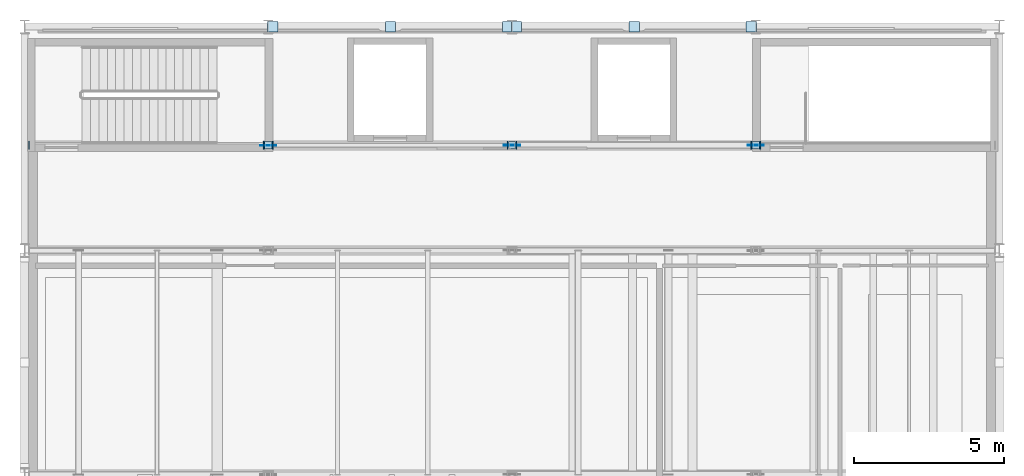
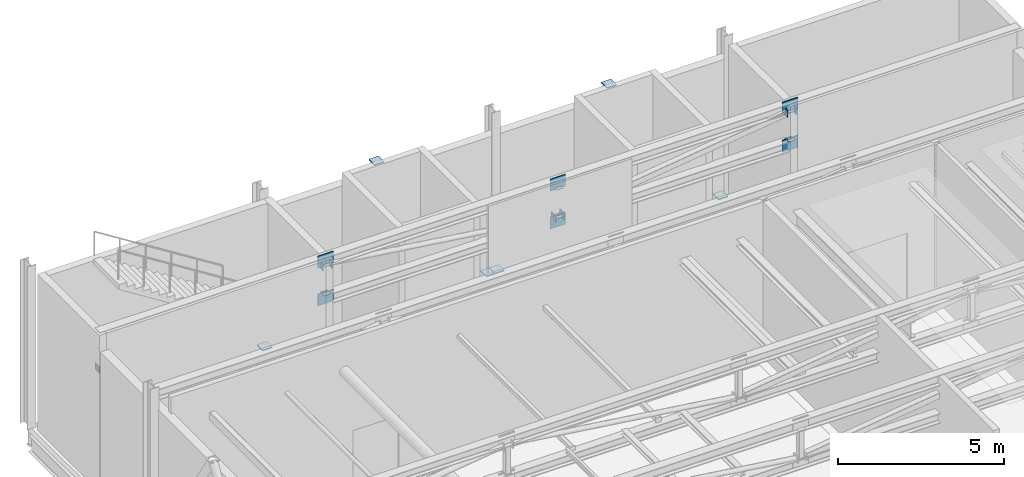
# One storey, part 17 of 21: 25 plates.
"""IFC4 building model written with IfcOpenShell, lengths in metres."""

from ifc_helpers import new_model, si_unit, direction, frame, origin, origin_2d, place, context, subcontext, project, spatial, rectangle, extrude, material, layer, layer_set, type_object, element, save


model = new_model("IFC4")

# Units and contexts
model_context = context("Model", 3, precision=1e-05, world=origin(), true_north=direction((0.0, 1.0)))
body_context = subcontext(model_context, "Body", "Model", "MODEL_VIEW")
ifc_project = project(units=[si_unit("LENGTHUNIT", "METRE"), si_unit("AREAUNIT", "SQUARE_METRE"), si_unit("VOLUMEUNIT", "CUBIC_METRE"), si_unit("PLANEANGLEUNIT", "RADIAN"), si_unit("MASSUNIT", "GRAM", prefix="KILO")], contexts=[model_context])

# Site, building, storey
site_placement = place(None, origin())
site = spatial("IfcSite", under=ifc_project, at=site_placement, CompositionType="ELEMENT")
building_placement = place(site_placement, origin())
building = spatial("IfcBuilding", under=site, at=building_placement, Name="Kaelora Sail Theatre", CompositionType="ELEMENT")
storey_placement = place(building_placement, frame((0.0, 0.0, 27.60009765625)))
storey = spatial("IfcBuildingStorey", under=building, at=storey_placement, Name="L06", CompositionType="ELEMENT", Elevation=27.60009765625)

# Plates
ifc_material_1 = material(Name="Steel S355", Category="steel")
ifc_layer_1 = layer(ifc_material_1, 0.014892578125)
ifc_layer_set_1 = layer_set([ifc_layer_1], Name="Steel S355")
plate_type_1 = type_object("IfcPlateType", Name="STR-PL-EP-15", PredefinedType="SHEET", material=ifc_layer_set_1)
for number, where, z_axis, x_axis, name in (
    (1, (33.89990234375, 79.39990234375, 4.41552734375), (0.0, 0.0, 1.0), (1.0, 0.0, 0.0), "TVT-01 Fly Tower truss 4 vertical strut 1 end cap plate A"),
    (2, (33.89990234375, 79.39990234375, 5.46923828125), (0.0, 0.0, 1.0), (1.0, 0.0, 0.0), "TVT-01 Fly Tower truss 4 vertical strut 1 end cap plate B"),
    (3, (42.0, 79.39990234375, 4.41552734375), (0.0, 0.0, 1.0), (1.0, 0.0, 0.0), "TVT-01 Fly Tower truss 4 vertical strut 2 end cap plate A"),
    (4, (42.0, 79.39990234375, 5.46923828125), (0.0, 0.0, 1.0), (1.0, 0.0, 0.0), "TVT-01 Fly Tower truss 4 vertical strut 2 end cap plate B"),
    (5, (50.10009765625, 79.39990234375, 4.41552734375), (0.0, 0.0, 1.0), (1.0, 0.0, 0.0), "TVT-01 Fly Tower truss 4 vertical strut 3 end cap plate A"),
    (6, (50.10009765625, 79.39990234375, 5.46923828125), (0.0, 0.0, 1.0), (1.0, 0.0, 0.0), "TVT-01 Fly Tower truss 4 vertical strut 3 end cap plate B"),
):
    element("IfcPlate", number, at=place(storey_placement, frame(where, z_axis=z_axis, x_axis=x_axis)), inside=storey, type_object=plate_type_1, Name=name, PredefinedType="SHEET", context=body_context, shape_type="SweptSolid", body=[
        extrude(rectangle(XDim=0.239990234375, YDim=0.239990234375, at=origin_2d()), origin(), (0.0, 0.0, 1.0), 0.014892578125),
    ])
ifc_material_2 = material(Name="Steel S355", Category="steel")
ifc_layer_2 = layer(ifc_material_2, 0.02001953125)
ifc_layer_set_2 = layer_set([ifc_layer_2], Name="Steel S355")
plate_type_2 = type_object("IfcPlateType", Name="STR-PL-EP-20", PredefinedType="SHEET", material=ifc_layer_set_2)
for number, where, z_axis, x_axis, name in (
    (7, (25.951171875, 79.39990234375, 4.298828125), (0.0, 0.0, 1.0), (1.0, 0.0, 0.0), "TDG-01 Fly Tower truss 4 web diagonal 1 end cap plate A"),
    (8, (33.7490234375, 79.39990234375, 5.34130859375), (0.0, 0.0, 1.0), (1.0, 0.0, 0.0), "TDG-01 Fly Tower truss 4 web diagonal 1 end cap plate B"),
    (9, (34.051025390625, 79.39990234375, 5.34130859375), (0.0, 0.0, 1.0), (1.0, 0.0, 0.0), "TDG-01 Fly Tower truss 4 web diagonal 2 end cap plate A"),
    (10, (41.848876953125, 79.39990234375, 4.298828125), (0.0, 0.0, 1.0), (1.0, 0.0, 0.0), "TDG-01 Fly Tower truss 4 web diagonal 2 end cap plate B"),
    (11, (42.151123046875, 79.39990234375, 4.298828125), (0.0, 0.0, 1.0), (1.0, 0.0, 0.0), "TDG-01 Fly Tower truss 4 web diagonal 3 end cap plate A"),
    (12, (49.948974609375, 79.39990234375, 5.34130859375), (0.0, 0.0, 1.0), (1.0, 0.0, 0.0), "TDG-01 Fly Tower truss 4 web diagonal 3 end cap plate B"),
    (13, (50.2509765625, 79.39990234375, 5.34130859375), (0.0, 0.0, 1.0), (1.0, 0.0, 0.0), "TDG-01 Fly Tower truss 4 web diagonal 4 end cap plate A"),
):
    element("IfcPlate", number, at=place(storey_placement, frame(where, z_axis=z_axis, x_axis=x_axis)), inside=storey, type_object=plate_type_2, Name=name, PredefinedType="SHEET", context=body_context, shape_type="SweptSolid", body=[
        extrude(rectangle(XDim=0.02001953125, YDim=0.260009765625, at=origin_2d()), origin(), (0.0, 0.0, 1.0), 0.260009765625),
    ])
ifc_material_3 = material(Name="Steel S355", Category="steel")
ifc_layer_3 = layer(ifc_material_3, 0.035888671875)
ifc_layer_set_3 = layer_set([ifc_layer_3], Name="Steel S355")
plate_type_3 = type_object("IfcPlateType", Name="STR-PL-EP-36", PredefinedType="SHEET", material=ifc_layer_set_3)
for number, where, z_axis, x_axis, name in (
    (14, (34.050537109375, 83.340087890625, -0.01123046875), (0.0, 0.0, 1.0), (1.0, 0.0, 0.0), "Fly Tower north chevron brace L06 N2-1 end cap plate A"),
    (15, (37.95947265625, 83.340087890625, 5.4599609375), (0.0, 0.0, 1.0), (1.0, 0.0, 0.0), "Fly Tower north chevron brace L06 N2-1 end cap plate B"),
    (16, (41.849365234375, 83.340087890625, -0.01123046875), (0.0, 0.0, 1.0), (1.0, 0.0, 0.0), "Fly Tower north chevron brace L06 N2-2 end cap plate A"),
    (17, (42.150634765625, 83.340087890625, -0.01123046875), (0.0, 0.0, 1.0), (1.0, 0.0, 0.0), "Fly Tower north chevron brace L06 N3-1 end cap plate A"),
    (18, (46.059326171875, 83.340087890625, 5.4599609375), (0.0, 0.0, 1.0), (1.0, 0.0, 0.0), "Fly Tower north chevron brace L06 N3-1 end cap plate B"),
    (19, (49.949462890625, 83.340087890625, -0.01123046875), (0.0, 0.0, 1.0), (1.0, 0.0, 0.0), "Fly Tower north chevron brace L06 N3-2 end cap plate A"),
):
    element("IfcPlate", number, at=place(storey_placement, frame(where, z_axis=z_axis, x_axis=x_axis)), inside=storey, type_object=plate_type_3, Name=name, PredefinedType="SHEET", context=body_context, shape_type="SweptSolid", body=[
        extrude(rectangle(XDim=0.340087890625, YDim=0.340087890625, at=origin_2d()), origin(), (0.0, 0.0, 1.0), 0.035888671875),
    ])
ifc_material_4 = material(Name="Steel S355", Category="steel")
ifc_layer_4 = layer(ifc_material_4, 0.01806640625)
ifc_layer_set_4 = layer_set([ifc_layer_4], Name="Steel S355")
plate_type_4 = type_object("IfcPlateType", Name="STR-PL-GP-18", PredefinedType="USERDEFINED", material=ifc_layer_set_4)
for number, where, z_axis, x_axis, name in (
    (20, (33.89990234375, 79.39990234375, 4.030029296875), (0.0, 0.0, 1.0), (1.0, 0.0, 0.0), "Fly Tower truss node gusset plate T4-N1B"),
    (21, (33.89990234375, 79.39990234375, 5.429931640625), (0.0, 0.0, 1.0), (1.0, 0.0, 0.0), "Fly Tower truss node gusset plate T4-N1T"),
):
    element("IfcPlate", number, at=place(storey_placement, frame(where, z_axis=z_axis, x_axis=x_axis)), inside=storey, type_object=plate_type_4, Name=name, ObjectType="GUSSET PLATE", PredefinedType="USERDEFINED", context=body_context, shape_type="SweptSolid", body=[
        extrude(rectangle(XDim=0.5400390625, YDim=0.01806640625, at=origin_2d()), origin(), (0.0, 0.0, 1.0), 0.43994140625),
    ])
ifc_material_5 = material(Name="Steel S355", Category="steel")
ifc_layer_5 = layer(ifc_material_5, 0.02392578125)
ifc_layer_set_5 = layer_set([ifc_layer_5], Name="Steel S355")
plate_type_5 = type_object("IfcPlateType", Name="STR-PL-GP-24", PredefinedType="USERDEFINED", material=ifc_layer_set_5)
for number, where, z_axis, x_axis, name in (
    (22, (42.0, 79.39990234375, 4.030029296875), (0.0, 0.0, 1.0), (1.0, 0.0, 0.0), "Fly Tower truss node gusset plate T4-N2B"),
    (23, (42.0, 79.39990234375, 5.429931640625), (0.0, 0.0, 1.0), (1.0, 0.0, 0.0), "Fly Tower truss node gusset plate T4-N2T"),
):
    element("IfcPlate", number, at=place(storey_placement, frame(where, z_axis=z_axis, x_axis=x_axis)), inside=storey, type_object=plate_type_5, Name=name, ObjectType="GUSSET PLATE", PredefinedType="USERDEFINED", context=body_context, shape_type="SweptSolid", body=[
        extrude(rectangle(XDim=0.5400390625, YDim=0.02392578125, at=origin_2d()), origin(), (0.0, 0.0, 1.0), 0.43994140625),
    ])
ifc_material_6 = material(Name="Steel S355", Category="steel")
ifc_layer_6 = layer(ifc_material_6, 0.031982421875)
ifc_layer_set_6 = layer_set([ifc_layer_6], Name="Steel S355")
plate_type_6 = type_object("IfcPlateType", Name="STR-PL-GP-32", PredefinedType="USERDEFINED", material=ifc_layer_set_6)
for number, where, z_axis, x_axis, name in (
    (24, (50.10009765625, 79.39990234375, 4.030029296875), (0.0, 0.0, 1.0), (1.0, 0.0, 0.0), "Fly Tower truss node gusset plate T4-N3B"),
    (25, (50.10009765625, 79.39990234375, 5.429931640625), (0.0, 0.0, 1.0), (1.0, 0.0, 0.0), "Fly Tower truss node gusset plate T4-N3T"),
):
    element("IfcPlate", number, at=place(storey_placement, frame(where, z_axis=z_axis, x_axis=x_axis)), inside=storey, type_object=plate_type_6, Name=name, ObjectType="GUSSET PLATE", PredefinedType="USERDEFINED", context=body_context, shape_type="SweptSolid", body=[
        extrude(rectangle(XDim=0.5400390625, YDim=0.031982421875, at=origin_2d()), origin(), (0.0, 0.0, 1.0), 0.43994140625),
    ])

save(model, "model.ifc")
